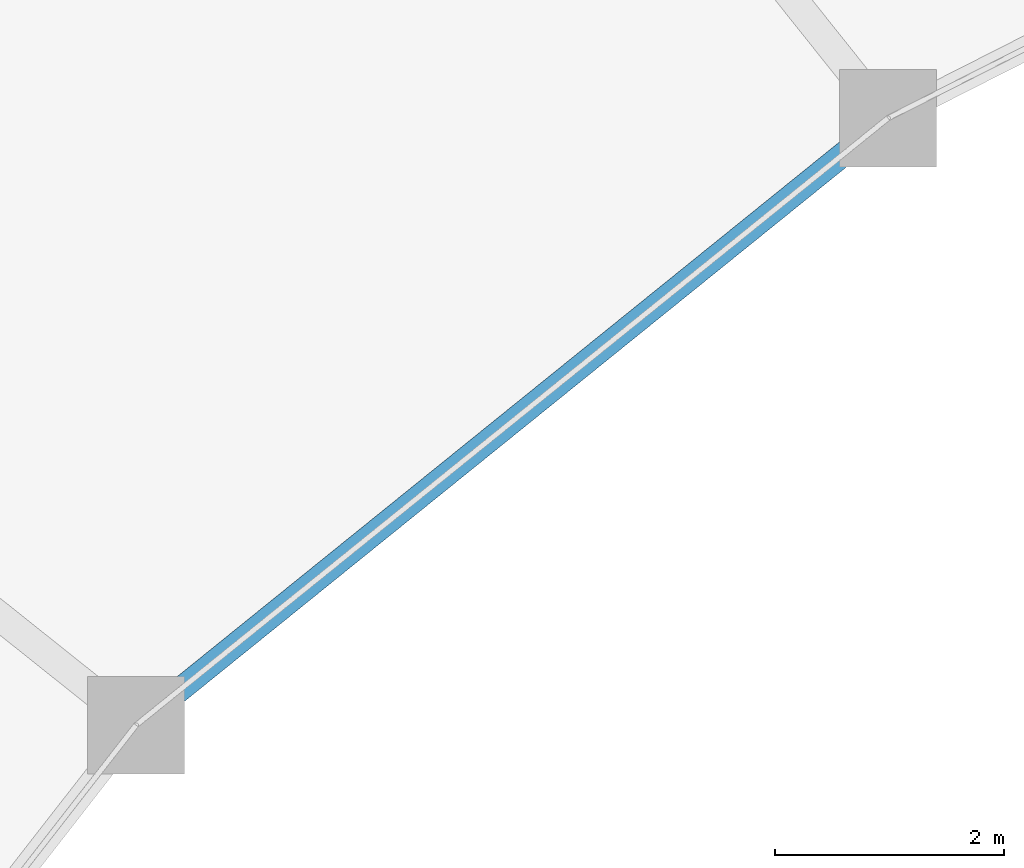
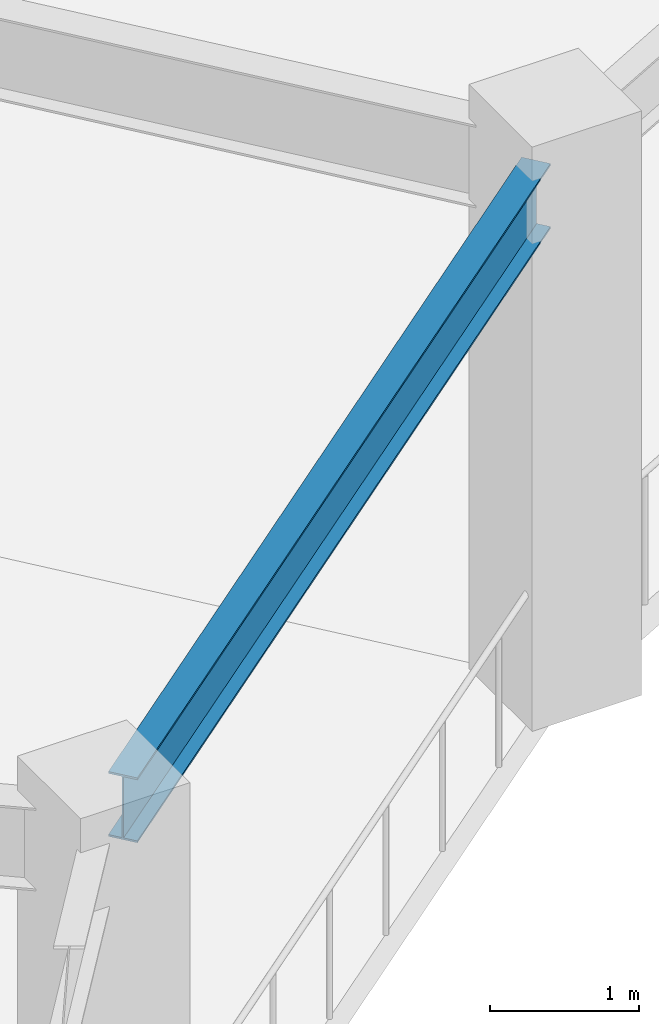
# One storey, part 39 of 112: 1 beam.
"""IFC4 building model written with IfcOpenShell, lengths in metres."""

from ifc_helpers import new_model, si_unit, direction, frame, origin, origin_2d, place, context, subcontext, project, spatial, i_section, extrude, material, material_profile, profile_set, type_object, element, save


model = new_model("IFC4")

# Units and contexts
model_context = context("Model", 3, precision=1e-05, world=origin(), true_north=direction((0.0, 1.0)))
body_context = subcontext(model_context, "Body", "Model", "MODEL_VIEW")
ifc_project = project(units=[si_unit("LENGTHUNIT", "METRE"), si_unit("AREAUNIT", "SQUARE_METRE"), si_unit("VOLUMEUNIT", "CUBIC_METRE"), si_unit("PLANEANGLEUNIT", "RADIAN"), si_unit("MASSUNIT", "GRAM", prefix="KILO")], contexts=[model_context])

# Site, building, storey
site_placement = place(None, origin())
site = spatial("IfcSite", under=ifc_project, at=site_placement, CompositionType="ELEMENT")
building_placement = place(site_placement, origin())
building = spatial("IfcBuilding", under=site, at=building_placement, Name="Cuetzalor Civic Arena", CompositionType="ELEMENT")
storey_placement = place(building_placement, frame((0.0, 0.0, 11.39990234375)))
storey = spatial("IfcBuildingStorey", under=building, at=storey_placement, Name="L02", CompositionType="ELEMENT", Elevation=11.39990234375)

# Beam
ifc_material = material(Name="Steel S355", Category="steel")
ifc_material_profile = material_profile(ifc_material, i_section(OverallWidth=0.208984375, OverallDepth=0.532958984375, WebThickness=0.01025390625, FlangeThickness=0.015625, at=origin_2d()), Name="W530x92")
ifc_profile_set = profile_set([ifc_material_profile], Name="Steel S355")
beam_type = type_object("IfcBeamType", Name="SteelCollarGirder_W530", PredefinedType="BEAM", material=ifc_profile_set)
beam_placement = place(storey_placement, frame((-26.15478515625, 25.96533203125, 4.253662109375), z_axis=(-0.77812651983, -0.628107569719, 0.0), x_axis=(0.628107569719, -0.77812651983, 0.0)))
element("IfcBeam", 1, at=beam_placement, inside=storey, type_object=beam_type, Name="Bowl Inner Ring Girder L02-S11", PredefinedType="BEAM", context=body_context, shape_type="SweptSolid", body=[
    extrude(i_section(OverallWidth=0.208984375, OverallDepth=0.532958984375, WebThickness=0.01025390625, FlangeThickness=0.015625, at=origin_2d()), origin(), (0.0, 0.0, 1.0), 7.725341796875),
])

save(model, "model.ifc")
